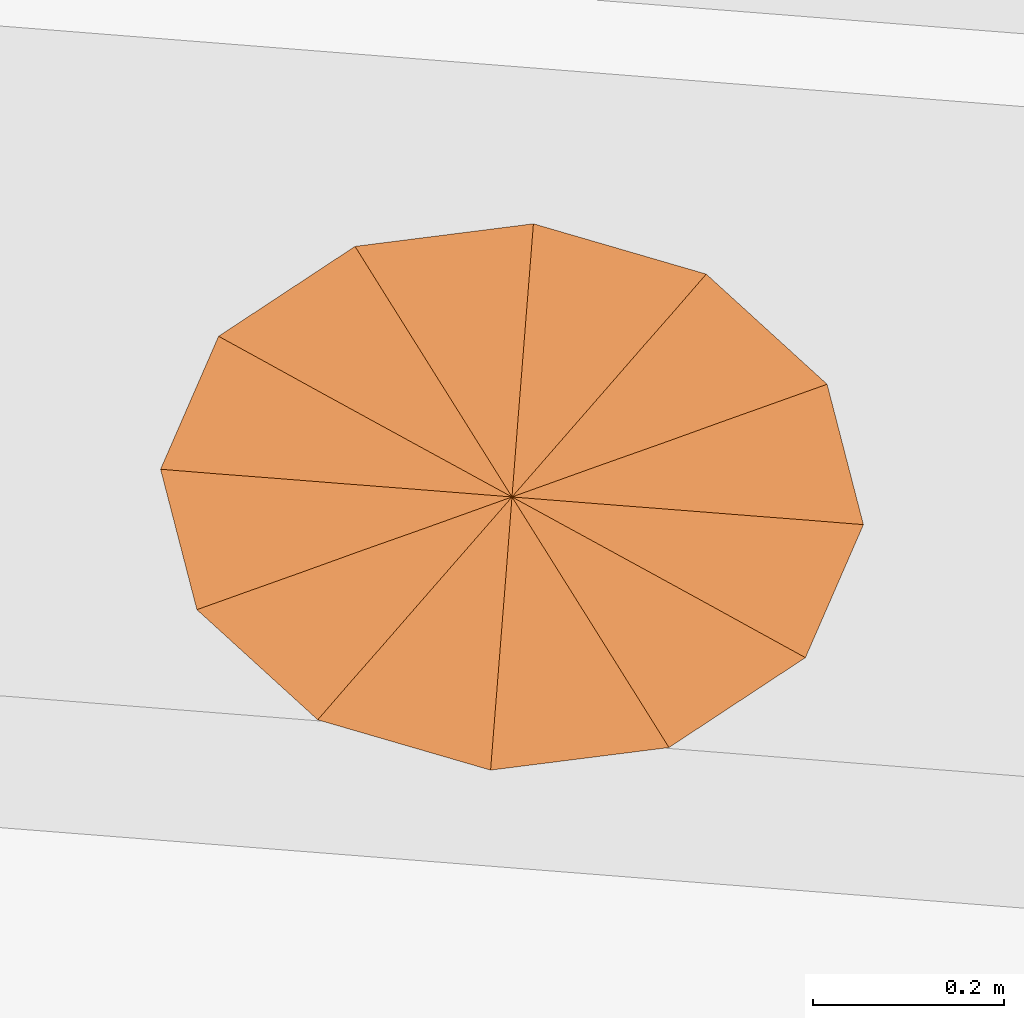
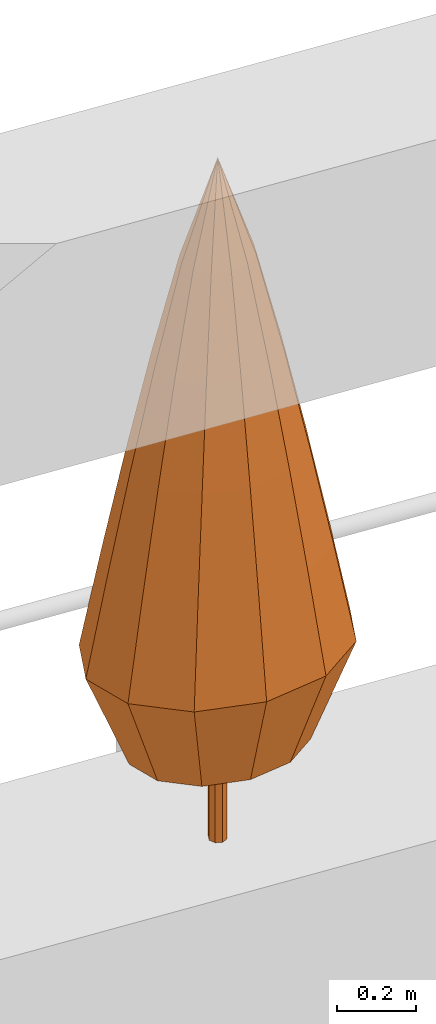
# One storey, part 12 of 12: 1 geographic element.
"""IFC4 building model written with IfcOpenShell, lengths in metres."""

import ifcopenshell
import ifcopenshell.guid

model = None  # the IFC model being written
_history = None  # IfcOwnerHistory: only IFC2X3 demands one
_inside = {}  # id of a spatial element -> (the spatial element, [elements in it])
_under = {}  # id of a project, library or spatial element -> (it, [spatial elements below it])
_declared = {}  # id of a project -> (the project, [libraries it declares])
_typed = {}  # id of a type object -> (the type object, [elements of that type])
_made_of = {}  # id of a material, layer set ... -> (it, [elements and type objects made of it])


def new_model(schema):
    """Start an empty IFC model of exactly this schema.

    Asked for "IFC4X3", IfcOpenShell would pick the latest addendum, in which some entities
    have other attributes; the version numbers below select the first issue.
    IFC2X3 requires an IfcOwnerHistory on every rooted entity: one is made here for all.
    """
    global model, _history
    if schema == "IFC4X3":
        model = ifcopenshell.file(schema_version=(4, 3, 0, 0))
    else:
        model = ifcopenshell.file(schema=schema)
    _inside.clear()
    _under.clear()
    _declared.clear()
    _typed.clear()
    _made_of.clear()
    _history = None
    if model.schema == "IFC2X3":
        org = make("IfcOrganization", Name="unknown")
        user = make(
            "IfcPersonAndOrganization",
            ThePerson=make("IfcPerson", FamilyName="unknown"),
            TheOrganization=org,
        )
        app = make(
            "IfcApplication",
            ApplicationDeveloper=org,
            Version="unknown",
            ApplicationFullName="unknown",
            ApplicationIdentifier="unknown",
        )
        _history = make(
            "IfcOwnerHistory",
            OwningUser=user,
            OwningApplication=app,
            ChangeAction="ADDED",
            CreationDate=0,
        )
    return model


def make(cls, **values):
    """One entity of the class cls with the attributes given. An attribute that is None is left unset."""
    return model.create_entity(
        cls, **{name: value for name, value in values.items() if value is not None}
    )


def rooted(cls, **values):
    """An entity with a GlobalId (a new one), such as an element, a storey or a relation."""
    return make(cls, GlobalId=ifcopenshell.guid.new(), OwnerHistory=_history, **values)


def si_unit(unit_type, name, prefix=None):
    """IfcSIUnit, for example si_unit("LENGTHUNIT", "METRE", prefix="MILLI")."""
    return make("IfcSIUnit", UnitType=unit_type, Prefix=prefix, Name=name)


def assignment(units):
    """IfcUnitAssignment: the units of a project."""
    return None if units is None else make("IfcUnitAssignment", Units=units)


def point(xyz):
    """IfcCartesianPoint."""
    return None if xyz is None else make("IfcCartesianPoint", Coordinates=xyz)


def direction(xyz):
    """IfcDirection."""
    return None if xyz is None else make("IfcDirection", DirectionRatios=xyz)


def frame(location, z_axis=None, x_axis=None):
    """IfcAxis2Placement3D, a coordinate frame: its origin and axes. An axis left out is left unset."""
    return make(
        "IfcAxis2Placement3D",
        Location=point(location),
        Axis=direction(z_axis),
        RefDirection=direction(x_axis),
    )


def origin():
    """The frame at (0, 0, 0) with its axes left unset."""
    return frame((0.0, 0.0, 0.0))


def place(relative_to, where):
    """IfcLocalPlacement: puts the frame where relative to a parent placement (None: the world)."""
    return make(
        "IfcLocalPlacement", PlacementRelTo=relative_to, RelativePlacement=where
    )


def context(
    kind, dimensions, precision=None, world=None, true_north=None, identifier=None
):
    """IfcGeometricRepresentationContext, for example the 3D "Model" context."""
    return make(
        "IfcGeometricRepresentationContext",
        ContextIdentifier=identifier,
        ContextType=kind,
        CoordinateSpaceDimension=dimensions,
        Precision=precision,
        WorldCoordinateSystem=world,
        TrueNorth=true_north,
    )


def subcontext(parent, identifier, kind, view, scale=None):
    """IfcGeometricRepresentationSubContext, for example "Body" below "Model"."""
    return make(
        "IfcGeometricRepresentationSubContext",
        ContextIdentifier=identifier,
        ContextType=kind,
        ParentContext=parent,
        TargetScale=scale,
        TargetView=view,
    )


def project(units=None, contexts=None):
    """IfcProject with its units and contexts."""
    return rooted(
        "IfcProject",
        Name="project",
        RepresentationContexts=contexts,
        UnitsInContext=assignment(units),
    )


def spatial(cls, under=None, at=None, **own):
    """A site, building, storey or space (cls), placed at a placement, below another one or the project."""
    s = rooted(cls, ObjectPlacement=at, **own)
    if under is not None:
        _under.setdefault(under.id(), (under, []))[1].append(s)
    return s


def faces_of(points, faces, orient=None, outer=None):
    """IfcFace entities. A face is a list of loops; a loop is a list of indices into points, from 0.

    orient and outer hold one flag for each loop. By default every Orientation is true, the
    first loop of a face is its IfcFaceOuterBound and the others are IfcFaceBound.
    """
    made = []
    for i, loops in enumerate(faces):
        bounds = []
        for j, loop in enumerate(loops):
            is_outer = j == 0 if outer is None else outer[i][j]
            bounds.append(
                make(
                    "IfcFaceOuterBound" if is_outer else "IfcFaceBound",
                    Bound=make("IfcPolyLoop", Polygon=[points[k] for k in loop]),
                    Orientation=True if orient is None else orient[i][j],
                )
            )
        made.append(make("IfcFace", Bounds=bounds))
    return made


def faceted_brep(points, faces, orient=None, outer=None, voids=None):
    """IfcFacetedBrep: a solid bounded by flat faces; with voids (closed shells), ...WithVoids."""
    shared = [point(p) for p in points]
    hull = make("IfcClosedShell", CfsFaces=faces_of(shared, faces, orient, outer))
    if voids is None:
        return make("IfcFacetedBrep", Outer=hull)
    return make(
        "IfcFacetedBrepWithVoids",
        Outer=hull,
        Voids=[
            make(cls, CfsFaces=faces_of(shared, fs, o, b)) for cls, fs, o, b in voids
        ],
    )


def shape(context_of_items, identifier, shape_type, items):
    """IfcShapeRepresentation: the items that make up one representation, for example the "Body"."""
    return make(
        "IfcShapeRepresentation",
        ContextOfItems=context_of_items,
        RepresentationIdentifier=identifier,
        RepresentationType=shape_type,
        Items=items,
    )


def material(Name=None, Category=None):
    """IfcMaterial."""
    return make("IfcMaterial", Name=Name, Category=Category)


def constituent(of_material, Name=None, Category=None, fraction=None):
    """IfcMaterialConstituent: one of the materials an element consists of."""
    return make(
        "IfcMaterialConstituent",
        Name=Name,
        Material=of_material,
        Fraction=fraction,
        Category=Category,
    )


def constituent_set(constituents=None, Name=None):
    """IfcMaterialConstituentSet."""
    return make(
        "IfcMaterialConstituentSet", Name=Name, MaterialConstituents=constituents
    )


def made_of(thing, what):
    """Note that an element or type object is made of a material, layer set ...; save() writes the relation."""
    if what is not None:
        _made_of.setdefault(what.id(), (what, []))[1].append(thing)
    return thing


def type_object(cls, material=None, **own):
    """A type object (cls), such as IfcWallType, which elements share."""
    return made_of(rooted(cls, **own), material)


def element(
    cls,
    number,
    at=None,
    inside=None,
    cuts=None,
    type_object=None,
    material=None,
    context=None,
    identifier="Body",
    shape_type=None,
    held_by="IfcProductDefinitionShape",
    body=None,
    shapes=None,
    **own,
):
    """One element of the class cls, such as IfcWall. Its Tag is "e" and its number.

    at: its placement. inside: the storey or other place that contains it. cuts: it is an
    opening in that element (IfcRelVoidsElement). A single representation is given by context,
    identifier, shape_type and body (its items); several are given by shapes. held_by: the class
    of the entity that holds the representations. save() writes the other relations.
    """
    e = rooted(cls, Tag="e%d" % number, ObjectPlacement=at, **own)
    if body is not None:
        shapes = [shape(context, identifier, shape_type, body)]
    if shapes is not None:
        e.Representation = make(held_by, Representations=shapes)
    if inside is not None:
        _inside.setdefault(inside.id(), (inside, []))[1].append(e)
    if cuts is not None:
        rooted(
            "IfcRelVoidsElement", RelatingBuildingElement=cuts, RelatedOpeningElement=e
        )
    if type_object is not None:
        _typed.setdefault(type_object.id(), (type_object, []))[1].append(e)
    return made_of(e, material)


def aggregate(whole, parts):
    """IfcRelAggregates: a whole, such as a stair, and the parts it consists of."""
    return rooted("IfcRelAggregates", RelatingObject=whole, RelatedObjects=parts)


def save(model, path):
    """Write the relations noted so far, then the file.

    IfcRelAggregates (storeys below a building ...), IfcRelContainedInSpatialStructure (elements
    in a storey), IfcRelDefinesByType, IfcRelAssociatesMaterial and IfcRelDeclares: one each for
    every whole, place, type object, material and project.
    """
    for whole, parts in _under.values():
        aggregate(whole, parts)
    for where, things in _inside.values():
        rooted(
            "IfcRelContainedInSpatialStructure",
            RelatedElements=things,
            RelatingStructure=where,
        )
    for kind, things in _typed.values():
        rooted("IfcRelDefinesByType", RelatedObjects=things, RelatingType=kind)
    for what, things in _made_of.values():
        rooted("IfcRelAssociatesMaterial", RelatedObjects=things, RelatingMaterial=what)
    for by, libraries in _declared.values():
        rooted("IfcRelDeclares", RelatingContext=by, RelatedDefinitions=libraries)
    model.write(path)


model = new_model("IFC4")

# Units and contexts
model_context = context("Model", 3, precision=1e-05, world=origin(), true_north=direction((0.0, 1.0)))
body_context = subcontext(model_context, "Body", "Model", "MODEL_VIEW")
ifc_project = project(units=[si_unit("LENGTHUNIT", "METRE"), si_unit("AREAUNIT", "SQUARE_METRE"), si_unit("VOLUMEUNIT", "CUBIC_METRE"), si_unit("PLANEANGLEUNIT", "RADIAN"), si_unit("MASSUNIT", "GRAM", prefix="KILO")], contexts=[model_context])

# Site, building, storey
site_placement = place(None, origin())
site = spatial("IfcSite", under=ifc_project, at=site_placement, CompositionType="ELEMENT")
building_placement = place(site_placement, origin())
building = spatial("IfcBuilding", under=site, at=building_placement, Name="Taillehof Tower", CompositionType="ELEMENT")
storey_placement = place(building_placement, frame((0.0, 0.0, 222.199951171875)))
storey = spatial("IfcBuildingStorey", under=building, at=storey_placement, Name="L63", CompositionType="ELEMENT", Elevation=222.199951171875)

# Geographic element
ifc_material_1 = material(Name="Tree bark", Category="timber")
ifc_constituent_1 = constituent(ifc_material_1, Name="Trunk", Category="timber")
ifc_material_2 = material(Name="Tree foliage")
ifc_constituent_2 = constituent(ifc_material_2, Name="Crown")
ifc_constituent_set = constituent_set(constituents=[ifc_constituent_1, ifc_constituent_2], Name="Tree TR5 Columnar juniper")
geographic_element_type = type_object("IfcGeographicElementType", Name="Tree TR5 Columnar juniper", PredefinedType="USERDEFINED", material=ifc_constituent_set)
geographic_element_placement = place(storey_placement, frame((2.955322265625, 24.110595703125, 0.75)))
element("IfcGeographicElement", 1, at=geographic_element_placement, inside=storey, type_object=geographic_element_type, Name="Tree TR5 Columnar juniper", ObjectType="TREE", PredefinedType="USERDEFINED", context=body_context, shape_type="Brep", body=[
    faceted_brep([(0.02490234375, 0.0, 0.0), (0.017578125, 0.017578125, 0.0), (0.017578125, 0.017578125, 0.929931640625), (0.02490234375, 0.0, 0.929931640625), (0.0, 0.02490234375, 0.0), (0.0, 0.02490234375, 0.929931640625), (-0.017578125, 0.017578125, 0.0), (-0.017578125, 0.017578125, 0.929931640625), (-0.02490234375, 0.0, 0.0), (-0.02490234375, 0.0, 0.929931640625), (-0.017578125, -0.017578125, 0.0), (-0.017578125, -0.017578125, 0.929931640625), (0.0, -0.02490234375, 0.0), (0.0, -0.02490234375, 0.929931640625), (0.017578125, -0.017578125, 0.0), (0.017578125, -0.017578125, 0.929931640625)], [[[0, 1, 2, 3]], [[1, 4, 5, 2]], [[4, 6, 7, 5]], [[6, 8, 9, 7]], [[8, 10, 11, 9]], [[10, 12, 13, 11]], [[12, 14, 15, 13]], [[14, 0, 3, 15]], [[14, 12, 10, 8, 6, 4, 1, 0]], [[3, 2, 5, 7, 9, 11, 13, 15]]]),
    faceted_brep([(-0.246826171875, 0.01953125, 0.300048828125), (-0.22119140625, -0.0791015625, 0.300048828125), (-0.330322265625, -0.1181640625, 0.60009765625), (-0.368408203125, 0.029052734375, 0.60009765625), (-0.136474609375, -0.156494140625, 0.300048828125), (-0.20361328125, -0.233642578125, 0.60009765625), (-0.01513671875, -0.19189453125, 0.300048828125), (-0.0224609375, -0.286376953125, 0.60009765625), (0.1103515625, -0.176025390625, 0.300048828125), (0.16455078125, -0.2626953125, 0.60009765625), (0.2060546875, -0.11279296875, 0.300048828125), (0.3076171875, -0.16845703125, 0.60009765625), (0.246826171875, -0.01953125, 0.300048828125), (0.368408203125, -0.029052734375, 0.60009765625), (0.22119140625, 0.0791015625, 0.300048828125), (0.330322265625, 0.1181640625, 0.60009765625), (0.136474609375, 0.156494140625, 0.300048828125), (0.20361328125, 0.233642578125, 0.60009765625), (0.01513671875, 0.19189453125, 0.300048828125), (0.0224609375, 0.286376953125, 0.60009765625), (-0.1103515625, 0.176025390625, 0.300048828125), (-0.16455078125, 0.2626953125, 0.60009765625), (-0.2060546875, 0.11279296875, 0.300048828125), (-0.3076171875, 0.16845703125, 0.60009765625), (-0.2763671875, -0.098876953125, 0.89990234375), (-0.30810546875, 0.024169921875, 0.89990234375), (-0.17041015625, -0.1953125, 0.89990234375), (-0.018798828125, -0.23974609375, 0.89990234375), (0.1376953125, -0.2197265625, 0.89990234375), (0.25732421875, -0.140869140625, 0.89990234375), (0.30810546875, -0.024169921875, 0.89990234375), (0.2763671875, 0.098876953125, 0.89990234375), (0.17041015625, 0.1953125, 0.89990234375), (0.018798828125, 0.23974609375, 0.89990234375), (-0.1376953125, 0.2197265625, 0.89990234375), (-0.25732421875, 0.140869140625, 0.89990234375), (-0.219482421875, -0.07861328125, 1.199951171875), (-0.244873046875, 0.019287109375, 1.199951171875), (-0.13525390625, -0.1552734375, 1.199951171875), (-0.014892578125, -0.1904296875, 1.199951171875), (0.109375, -0.174560546875, 1.199951171875), (0.20458984375, -0.11181640625, 1.199951171875), (0.244873046875, -0.019287109375, 1.199951171875), (0.219482421875, 0.07861328125, 1.199951171875), (0.13525390625, 0.1552734375, 1.199951171875), (0.014892578125, 0.1904296875, 1.199951171875), (-0.109375, 0.174560546875, 1.199951171875), (-0.20458984375, 0.11181640625, 1.199951171875), (-0.15869140625, -0.056640625, 1.5), (-0.177001953125, 0.013916015625, 1.5), (-0.097900390625, -0.1123046875, 1.5), (-0.0107421875, -0.1376953125, 1.5), (0.0791015625, -0.126220703125, 1.5), (0.14794921875, -0.080810546875, 1.5), (0.177001953125, -0.013916015625, 1.5), (0.15869140625, 0.056640625, 1.5), (0.097900390625, 0.1123046875, 1.5), (0.0107421875, 0.1376953125, 1.5), (-0.0791015625, 0.126220703125, 1.5), (-0.14794921875, 0.080810546875, 1.5), (-0.091064453125, -0.03271484375, 1.800048828125), (-0.1015625, 0.008056640625, 1.800048828125), (-0.05615234375, -0.064453125, 1.800048828125), (-0.006103515625, -0.0791015625, 1.800048828125), (0.04541015625, -0.072509765625, 1.800048828125), (0.0849609375, -0.04638671875, 1.800048828125), (0.1015625, -0.008056640625, 1.800048828125), (0.091064453125, 0.03271484375, 1.800048828125), (0.05615234375, 0.064453125, 1.800048828125), (0.006103515625, 0.0791015625, 1.800048828125), (-0.04541015625, 0.072509765625, 1.800048828125), (-0.0849609375, 0.04638671875, 1.800048828125), (0.0, 0.0, 2.10009765625)], [[[0, 1, 2, 3]], [[1, 4, 5, 2]], [[4, 6, 7, 5]], [[6, 8, 9, 7]], [[8, 10, 11, 9]], [[10, 12, 13, 11]], [[12, 14, 15, 13]], [[14, 16, 17, 15]], [[16, 18, 19, 17]], [[18, 20, 21, 19]], [[20, 22, 23, 21]], [[22, 0, 3, 23]], [[3, 2, 24, 25]], [[2, 5, 26, 24]], [[5, 7, 27, 26]], [[7, 9, 28, 27]], [[9, 11, 29, 28]], [[11, 13, 30, 29]], [[13, 15, 31, 30]], [[15, 17, 32, 31]], [[17, 19, 33, 32]], [[19, 21, 34, 33]], [[21, 23, 35, 34]], [[23, 3, 25, 35]], [[25, 24, 36, 37]], [[24, 26, 38, 36]], [[26, 27, 39, 38]], [[27, 28, 40, 39]], [[28, 29, 41, 40]], [[29, 30, 42, 41]], [[30, 31, 43, 42]], [[31, 32, 44, 43]], [[32, 33, 45, 44]], [[33, 34, 46, 45]], [[34, 35, 47, 46]], [[35, 25, 37, 47]], [[37, 36, 48, 49]], [[36, 38, 50, 48]], [[38, 39, 51, 50]], [[39, 40, 52, 51]], [[40, 41, 53, 52]], [[41, 42, 54, 53]], [[42, 43, 55, 54]], [[43, 44, 56, 55]], [[44, 45, 57, 56]], [[45, 46, 58, 57]], [[46, 47, 59, 58]], [[47, 37, 49, 59]], [[49, 48, 60, 61]], [[48, 50, 62, 60]], [[50, 51, 63, 62]], [[51, 52, 64, 63]], [[52, 53, 65, 64]], [[53, 54, 66, 65]], [[54, 55, 67, 66]], [[55, 56, 68, 67]], [[56, 57, 69, 68]], [[57, 58, 70, 69]], [[58, 59, 71, 70]], [[59, 49, 61, 71]], [[61, 60, 72]], [[60, 62, 72]], [[62, 63, 72]], [[63, 64, 72]], [[64, 65, 72]], [[65, 66, 72]], [[66, 67, 72]], [[67, 68, 72]], [[68, 69, 72]], [[69, 70, 72]], [[70, 71, 72]], [[71, 61, 72]], [[22, 20, 18, 16, 14, 12, 10, 8, 6, 4, 1, 0]]]),
])

save(model, "model.ifc")
